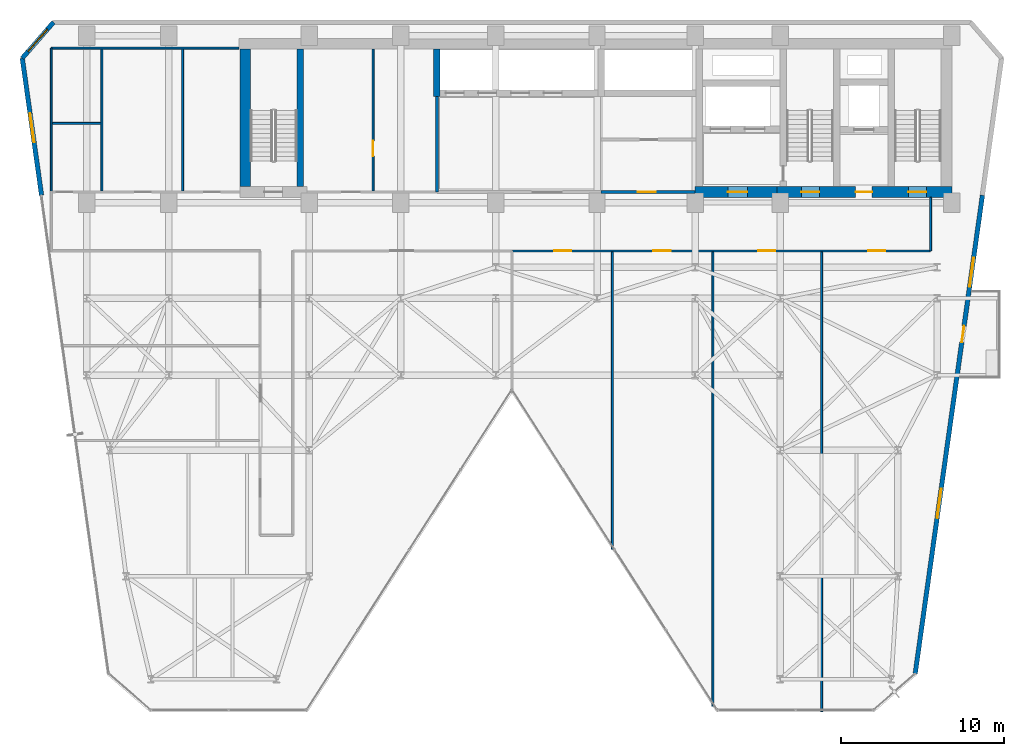
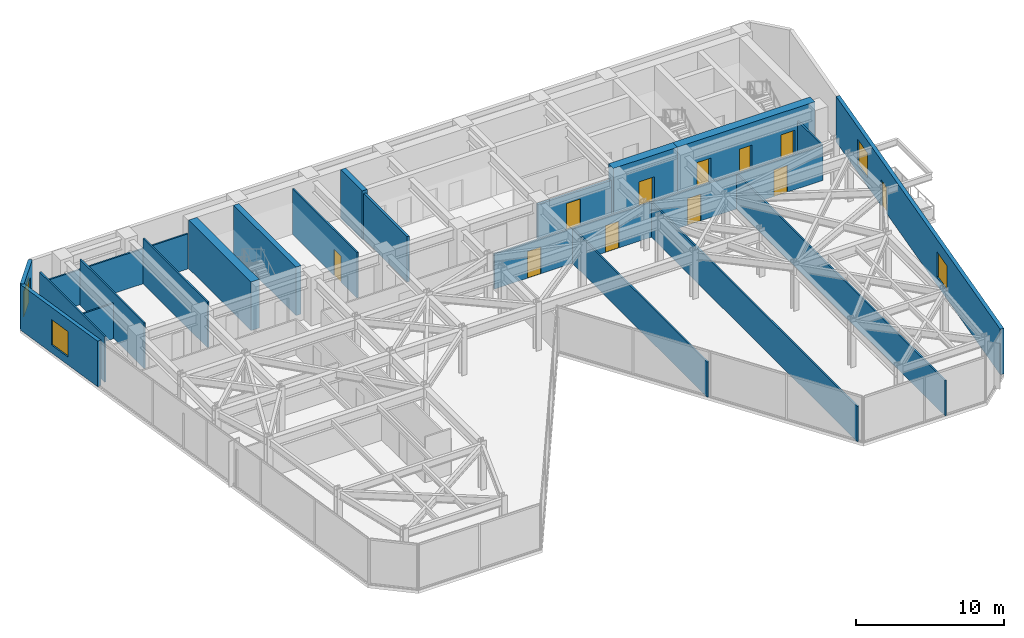
# One storey, part 22 of 26: 21 walls, 11 doors, 4 windows, 15 openings.
"""IFC4 building model written with IfcOpenShell, lengths in metres."""

from ifc_helpers import new_model, si_unit, direction, frame, frame_2d, origin, place, context, subcontext, project, spatial, rectangle, extrude, material, layer, layer_set, type_object, element, fill, save


model = new_model("IFC4")

# Units and contexts
model_context = context("Model", 3, precision=1e-05, world=origin(), true_north=direction((0.0, 1.0)))
body_context = subcontext(model_context, "Body", "Model", "MODEL_VIEW")
ifc_project = project(units=[si_unit("LENGTHUNIT", "METRE"), si_unit("AREAUNIT", "SQUARE_METRE"), si_unit("VOLUMEUNIT", "CUBIC_METRE"), si_unit("PLANEANGLEUNIT", "RADIAN"), si_unit("MASSUNIT", "GRAM", prefix="KILO")], contexts=[model_context])

# Site, building, storey
site_placement = place(None, origin())
site = spatial("IfcSite", under=ifc_project, at=site_placement, CompositionType="ELEMENT")
building_placement = place(site_placement, origin())
building = spatial("IfcBuilding", under=site, at=building_placement, Name="Kravanh Interchange Tower", CompositionType="ELEMENT")
storey_placement = place(building_placement, frame((0.0, 0.0, 140.0)))
storey = spatial("IfcBuildingStorey", under=building, at=storey_placement, Name="L33", CompositionType="ELEMENT", Elevation=140.0)

# Wall, opening, door
ifc_material_1 = material(Name="Double Acoustic Gypsum Board and Mineral Wool")
ifc_layer_1 = layer(ifc_material_1, 0.1201171875)
ifc_layer_set_1 = layer_set([ifc_layer_1], Name="Acoustic Office Drywall Partition 120mm")
wall_type_1 = type_object("IfcWallType", Name="Acoustic Office Drywall Partition 120mm", PredefinedType="PARTITIONING", material=ifc_layer_set_1)
wall_1_placement = place(storey_placement, frame((31.10009765625, 38.068115234375, 0.0), z_axis=(0.0, 0.0, 1.0), x_axis=(0.0, 1.0, 0.0)))
wall_1 = element("IfcWall", 1, at=wall_1_placement, inside=storey, type_object=wall_type_1, Name="L33 Interior Partition 5", PredefinedType="PARTITIONING", context=body_context, shape_type="SweptSolid", body=[
    extrude(rectangle(XDim=8.673828125, YDim=0.1201171875, at=frame_2d((4.3369140625, 0.0))), origin(), (0.0, 0.0, 1.0), 3.75),
])
opening_1_placement = place(wall_1_placement, frame((2.115966796875, 0.0, 0.0)))
opening_1 = element("IfcOpeningElement", 2, at=opening_1_placement, cuts=wall_1, Name="Opening D-95", PredefinedType="OPENING", context=body_context, shape_type="SweptSolid", body=[
    extrude(rectangle(XDim=0.949951171875, YDim=2.14990234375, at=frame_2d((0.47509765625, 1.074951171875))), frame((0.0, 0.070068359375, 0.0), z_axis=(0.0, -1.0, 0.0), x_axis=(1.0, 0.0, 0.0)), (0.0, 0.0, 1.0), 0.14013671875),
])
ifc_material_2 = material(Name="Laminate Solid-Core Timber", Category="wood")
door_type_1 = type_object("IfcDoorType", Name="Accessible Restroom Door 950x2150", OperationType="NOTDEFINED", PredefinedType="DOOR", material=ifc_material_2)
door_1_placement = place(opening_1_placement, origin())
door_1 = element("IfcDoor", 3, at=door_1_placement, inside=storey, type_object=door_type_1, Name="L33 Reclaimed Archive Inner Door", OperationType="SINGLE_SWING_LEFT", OverallHeight=2.14990234375, OverallWidth=0.949951171875, PredefinedType="DOOR", context=body_context, shape_type="SweptSolid", body=[
    extrude(rectangle(XDim=0.949951171875, YDim=2.14990234375, at=frame_2d((0.47509765625, 1.074951171875))), frame((0.0, 0.02490234375, 0.0), z_axis=(0.0, -1.0, 0.0), x_axis=(1.0, 0.0, 0.0)), (0.0, 0.0, 1.0), 0.050048828125),
])
fill(opening_1, door_1)

# Walls
wall_2_placement = place(storey_placement, frame((11.419921875, 38.0, 0.0), z_axis=(0.0, 0.0, 1.0), x_axis=(0.0, 1.0, 0.0)))
element("IfcWall", 4, at=wall_2_placement, inside=storey, type_object=wall_type_1, Name="L33 Restroom West Enclosure 8", PredefinedType="PARTITIONING", context=body_context, shape_type="SweptSolid", body=[
    extrude(rectangle(XDim=8.800048828125, YDim=0.1201171875, at=frame_2d((4.39990234375, 0.0))), origin(), (0.0, 0.0, 1.0), 3.75),
])
wall_3_placement = place(storey_placement, frame((11.419921875, 46.800048828125, 0.0), z_axis=(0.0, 0.0, 1.0), x_axis=(1.0, 0.0, 0.0)))
element("IfcWall", 5, at=wall_3_placement, inside=storey, type_object=wall_type_1, Name="L33 Restroom North Enclosure 9", PredefinedType="PARTITIONING", context=body_context, shape_type="SweptSolid", body=[
    extrude(rectangle(XDim=11.47998046875, YDim=0.1201171875, at=frame_2d((5.739990234375, 0.0))), origin(), (0.0, 0.0, 1.0), 2.89404296875),
])
for number, where, z_axis, x_axis, name in (
    (6, (14.52001953125, 38.068115234375, 0.0), (0.0, 0.0, 1.0), (0.0, 1.0, 0.0), "L33 Interior Partition 10"),
    (7, (19.449951171875, 38.068115234375, 0.0), (0.0, 0.0, 1.0), (0.0, 1.0, 0.0), "L33 Interior Partition 11"),
):
    element("IfcWall", number, at=place(storey_placement, frame(where, z_axis=z_axis, x_axis=x_axis)), inside=storey, type_object=wall_type_1, Name=name, PredefinedType="PARTITIONING", context=body_context, shape_type="SweptSolid", body=[
        extrude(rectangle(XDim=8.663818359375, YDim=0.1201171875, at=frame_2d((4.33203125, 0.0))), origin(), (0.0, 0.0, 1.0), 3.75),
    ])
wall_4_placement = place(storey_placement, frame((11.488037109375, 42.199951171875, 0.0), z_axis=(0.0, 0.0, 1.0), x_axis=(1.0, 0.0, 0.0)))
element("IfcWall", 8, at=wall_4_placement, inside=storey, type_object=wall_type_1, Name="L33 Interior Partition 12", PredefinedType="PARTITIONING", context=body_context, shape_type="SweptSolid", body=[
    extrude(rectangle(XDim=2.9638671875, YDim=0.1201171875, at=frame_2d((1.48193359375, 0.0))), origin(), (0.0, 0.0, 1.0), 2.89404296875),
])

# Wall, openings, doors
wall_5_placement = place(storey_placement, frame((39.60009765625, 34.39990234375, 0.0), z_axis=(0.0, 0.0, 1.0), x_axis=(1.0, 0.0, 0.0)))
wall_5 = element("IfcWall", 9, at=wall_5_placement, inside=storey, type_object=wall_type_1, Name="L33 Interior Partition 15", PredefinedType="PARTITIONING", context=body_context, shape_type="SweptSolid", body=[
    extrude(rectangle(XDim=25.599853515625, YDim=0.1201171875, at=frame_2d((12.7998046875, 0.0))), origin(), (0.0, 0.0, 1.0), 2.89404296875),
])
opening_2_placement = place(wall_5_placement, frame((2.585205078125, 0.0, 0.0)))
opening_2 = element("IfcOpeningElement", 10, at=opening_2_placement, cuts=wall_5, Name="Opening D-105", PredefinedType="OPENING", context=body_context, shape_type="SweptSolid", body=[
    extrude(rectangle(XDim=1.050048828125, YDim=2.199951171875, at=frame_2d((0.52490234375, 1.10009765625))), frame((0.0, 0.070068359375, 0.0), z_axis=(0.0, -1.0, 0.0), x_axis=(1.0, 0.0, 0.0)), (0.0, 0.0, 1.0), 0.14013671875),
])
opening_3_placement = place(wall_5_placement, frame((8.649658203125, 0.0, 0.0)))
opening_3 = element("IfcOpeningElement", 11, at=opening_3_placement, cuts=wall_5, Name="Opening D-105", PredefinedType="OPENING", context=body_context, shape_type="SweptSolid", body=[
    extrude(rectangle(XDim=1.050048828125, YDim=2.199951171875, at=frame_2d((0.52490234375, 1.10009765625))), frame((0.0, 0.070068359375, 0.0), z_axis=(0.0, -1.0, 0.0), x_axis=(1.0, 0.0, 0.0)), (0.0, 0.0, 1.0), 0.14013671875),
])
opening_4_placement = place(wall_5_placement, frame((15.049560546875, 0.0, 0.0)))
opening_4 = element("IfcOpeningElement", 12, at=opening_4_placement, cuts=wall_5, Name="Opening D-105", PredefinedType="OPENING", context=body_context, shape_type="SweptSolid", body=[
    extrude(rectangle(XDim=1.050048828125, YDim=2.199951171875, at=frame_2d((0.52490234375, 1.10009765625))), frame((0.0, 0.070068359375, 0.0), z_axis=(0.0, -1.0, 0.0), x_axis=(1.0, 0.0, 0.0)), (0.0, 0.0, 1.0), 0.14013671875),
])
opening_5_placement = place(wall_5_placement, frame((21.78564453125, 0.0, 0.0)))
opening_5 = element("IfcOpeningElement", 13, at=opening_5_placement, cuts=wall_5, Name="Opening D-105", PredefinedType="OPENING", context=body_context, shape_type="SweptSolid", body=[
    extrude(rectangle(XDim=1.050048828125, YDim=2.199951171875, at=frame_2d((0.52490234375, 1.10009765625))), frame((0.0, 0.070068359375, 0.0), z_axis=(0.0, -1.0, 0.0), x_axis=(1.0, 0.0, 0.0)), (0.0, 0.0, 1.0), 0.14013671875),
])
ifc_material_3 = material(Name="Acoustic Glazed Oak and Aluminium", Category="aluminium")
door_type_2 = type_object("IfcDoorType", Name="Office Workplace Door 1050x2200", OperationType="NOTDEFINED", PredefinedType="DOOR", material=ifc_material_3)
door_2_placement = place(opening_2_placement, origin())
door_2 = element("IfcDoor", 14, at=door_2_placement, inside=storey, type_object=door_type_2, Name="L33 Advisory Office B Door", OperationType="SINGLE_SWING_RIGHT", OverallHeight=2.199951171875, OverallWidth=1.050048828125, PredefinedType="DOOR", context=body_context, shape_type="SweptSolid", body=[
    extrude(rectangle(XDim=1.050048828125, YDim=2.199951171875, at=frame_2d((0.52490234375, 1.10009765625))), frame((0.0, 0.02490234375, 0.0), z_axis=(0.0, -1.0, 0.0), x_axis=(1.0, 0.0, 0.0)), (0.0, 0.0, 1.0), 0.050048828125),
])
fill(opening_2, door_2)
door_3_placement = place(opening_3_placement, origin())
door_3 = element("IfcDoor", 15, at=door_3_placement, inside=storey, type_object=door_type_2, Name="L33 Client Salon Lounge Door", OperationType="SINGLE_SWING_LEFT", OverallHeight=2.199951171875, OverallWidth=1.050048828125, PredefinedType="DOOR", context=body_context, shape_type="SweptSolid", body=[
    extrude(rectangle(XDim=1.050048828125, YDim=2.199951171875, at=frame_2d((0.52490234375, 1.10009765625))), frame((0.0, 0.02490234375, 0.0), z_axis=(0.0, -1.0, 0.0), x_axis=(1.0, 0.0, 0.0)), (0.0, 0.0, 1.0), 0.050048828125),
])
fill(opening_3, door_3)
door_4_placement = place(opening_4_placement, origin())
door_4 = element("IfcDoor", 16, at=door_4_placement, inside=storey, type_object=door_type_2, Name="L33 East Balcony Office C Door", OperationType="SINGLE_SWING_RIGHT", OverallHeight=2.199951171875, OverallWidth=1.050048828125, PredefinedType="DOOR", context=body_context, shape_type="SweptSolid", body=[
    extrude(rectangle(XDim=1.050048828125, YDim=2.199951171875, at=frame_2d((0.52490234375, 1.10009765625))), frame((0.0, 0.02490234375, 0.0), z_axis=(0.0, -1.0, 0.0), x_axis=(1.0, 0.0, 0.0)), (0.0, 0.0, 1.0), 0.050048828125),
])
fill(opening_4, door_4)
door_5_placement = place(opening_5_placement, origin())
door_5 = element("IfcDoor", 17, at=door_5_placement, inside=storey, type_object=door_type_2, Name="L33 Supply Store A Door", OperationType="SINGLE_SWING_LEFT", OverallHeight=2.199951171875, OverallWidth=1.050048828125, PredefinedType="DOOR", context=body_context, shape_type="SweptSolid", body=[
    extrude(rectangle(XDim=1.050048828125, YDim=2.199951171875, at=frame_2d((0.52490234375, 1.10009765625))), frame((0.0, 0.02490234375, 0.0), z_axis=(0.0, -1.0, 0.0), x_axis=(1.0, 0.0, 0.0)), (0.0, 0.0, 1.0), 0.050048828125),
])
fill(opening_5, door_5)

# Walls
wall_6_placement = place(storey_placement, frame((65.199951171875, 34.39990234375, 0.0), z_axis=(0.0, 0.0, 1.0), x_axis=(0.0, 1.0, 0.0)))
element("IfcWall", 18, at=wall_6_placement, inside=storey, type_object=wall_type_1, Name="L33 Interior Partition 17", PredefinedType="PARTITIONING", context=body_context, shape_type="SweptSolid", body=[
    extrude(rectangle(XDim=3.26708984375, YDim=0.1201171875, at=frame_2d((1.633544921875, 0.0))), origin(), (0.0, 0.0, 1.0), 2.89404296875),
])
wall_7_placement = place(storey_placement, frame((45.739990234375, 16.1494140625, 0.0), z_axis=(0.0, 0.0, 1.0), x_axis=(0.0, 1.0, 0.0)))
element("IfcWall", 19, at=wall_7_placement, inside=storey, type_object=wall_type_1, Name="L33 Interior Partition 24", PredefinedType="PARTITIONING", context=body_context, shape_type="SweptSolid", body=[
    extrude(rectangle(XDim=18.1826171875, YDim=0.1201171875, at=frame_2d((9.09130859375, 0.0))), origin(), (0.0, 0.0, 1.0), 2.89404296875),
])
wall_8_placement = place(storey_placement, frame((51.889892578125, 6.555419921875, 0.0), z_axis=(0.0, 0.0, 1.0), x_axis=(0.0, 1.0, 0.0)))
element("IfcWall", 20, at=wall_8_placement, inside=storey, type_object=wall_type_1, Name="L33 Interior Partition 25", PredefinedType="PARTITIONING", context=body_context, shape_type="SweptSolid", body=[
    extrude(rectangle(XDim=27.776611328125, YDim=0.1201171875, at=frame_2d((13.88818359375, 0.0))), origin(), (0.0, 0.0, 1.0), 2.89404296875),
])
wall_9_placement = place(storey_placement, frame((58.5400390625, 6.215087890625, 0.0), z_axis=(0.0, 0.0, 1.0), x_axis=(0.0, 1.0, 0.0)))
element("IfcWall", 21, at=wall_9_placement, inside=storey, type_object=wall_type_1, Name="L33 Interior Partition 26", PredefinedType="PARTITIONING", context=body_context, shape_type="SweptSolid", body=[
    extrude(rectangle(XDim=28.116943359375, YDim=0.1201171875, at=frame_2d((14.05859375, 0.0))), origin(), (0.0, 0.0, 1.0), 2.89404296875),
])

# Wall, openings, doors
ifc_material_4 = material(Name="Concrete C70/85", Category="concrete")
ifc_layer_2 = layer(ifc_material_4, 0.64990234375)
ifc_layer_set_2 = layer_set([ifc_layer_2], Name="Core Shear Wall Concrete C70/85 650mm")
wall_type_2 = type_object("IfcWallType", Name="Core Shear Wall Concrete C70/85 650mm", PredefinedType="SHEAR", material=ifc_layer_set_2)
wall_10_placement = place(storey_placement, frame((55.800048828125, 38.0, 0.0), z_axis=(0.0, 0.0, 1.0), x_axis=(1.0, 0.0, 0.0)))
wall_10 = element("IfcWall", 22, at=wall_10_placement, inside=storey, type_object=wall_type_2, Name="L33 East Core South Shear Wall", PredefinedType="SHEAR", context=body_context, shape_type="SweptSolid", body=[
    extrude(rectangle(XDim=10.699951171875, YDim=0.64990234375, at=frame_2d((5.35009765625, 0.0))), origin(), (0.0, 0.0, 1.0), 4.0),
])
opening_6_placement = place(wall_10_placement, frame((1.5, 0.0, 0.0)))
opening_6 = element("IfcOpeningElement", 23, at=opening_6_placement, cuts=wall_10, Name="Opening D-STAIR-110", PredefinedType="OPENING", context=body_context, shape_type="SweptSolid", body=[
    extrude(rectangle(XDim=1.10009765625, YDim=2.199951171875, at=frame_2d((0.550048828125, 1.10009765625))), frame((0.0, 0.3349609375, 0.0), z_axis=(0.0, -1.0, 0.0), x_axis=(1.0, 0.0, 0.0)), (0.0, 0.0, 1.0), 0.669921875),
])
opening_7_placement = place(wall_10_placement, frame((4.820068359375, 0.0, 0.0)))
opening_7 = element("IfcOpeningElement", 24, at=opening_7_placement, cuts=wall_10, Name="Opening D-HOTEL-100", PredefinedType="OPENING", context=body_context, shape_type="SweptSolid", body=[
    extrude(rectangle(XDim=1.0, YDim=2.14990234375, at=frame_2d((0.5, 1.074951171875))), frame((0.0, 0.3349609375, 0.0), z_axis=(0.0, -1.0, 0.0), x_axis=(1.0, 0.0, 0.0)), (0.0, 0.0, 1.0), 0.669921875),
])
opening_8_placement = place(wall_10_placement, frame((8.050048828125, 0.0, 0.0)))
opening_8 = element("IfcOpeningElement", 25, at=opening_8_placement, cuts=wall_10, Name="Opening D-STAIR-110", PredefinedType="OPENING", context=body_context, shape_type="SweptSolid", body=[
    extrude(rectangle(XDim=1.10009765625, YDim=2.199951171875, at=frame_2d((0.550048828125, 1.10009765625))), frame((0.0, 0.3349609375, 0.0), z_axis=(0.0, -1.0, 0.0), x_axis=(1.0, 0.0, 0.0)), (0.0, 0.0, 1.0), 0.669921875),
])
ifc_material_5 = material(Name="Structural Steel S355", Category="steel")
door_type_3 = type_object("IfcDoorType", Name="Fire-Rated Exit Stair Door 1100x2200", OperationType="NOTDEFINED", PredefinedType="DOOR", material=ifc_material_5)
door_6_placement = place(opening_6_placement, origin())
door_6 = element("IfcDoor", 26, at=door_6_placement, inside=storey, type_object=door_type_3, Name="L33 Exit Stair ST2 Door", OperationType="SINGLE_SWING_RIGHT", OverallHeight=2.199951171875, OverallWidth=1.10009765625, PredefinedType="DOOR", context=body_context, shape_type="SweptSolid", body=[
    extrude(rectangle(XDim=1.10009765625, YDim=2.199951171875, at=frame_2d((0.550048828125, 1.10009765625))), frame((0.0, 0.02490234375, 0.0), z_axis=(0.0, -1.0, 0.0), x_axis=(1.0, 0.0, 0.0)), (0.0, 0.0, 1.0), 0.050048828125),
])
fill(opening_6, door_6)
door_7_placement = place(opening_8_placement, origin())
door_7 = element("IfcDoor", 27, at=door_7_placement, inside=storey, type_object=door_type_3, Name="L33 Exit Stair ST1 Door", OperationType="SINGLE_SWING_RIGHT", OverallHeight=2.199951171875, OverallWidth=1.10009765625, PredefinedType="DOOR", context=body_context, shape_type="SweptSolid", body=[
    extrude(rectangle(XDim=1.10009765625, YDim=2.199951171875, at=frame_2d((0.550048828125, 1.10009765625))), frame((0.0, 0.02490234375, 0.0), z_axis=(0.0, -1.0, 0.0), x_axis=(1.0, 0.0, 0.0)), (0.0, 0.0, 1.0), 0.050048828125),
])
fill(opening_8, door_7)
ifc_material_6 = material(Name="Fire-Rated Solid Timber Leaf", Category="wood")
door_type_4 = type_object("IfcDoorType", Name="Fire-Rated Suite Entrance Door 1000x2150", OperationType="NOTDEFINED", PredefinedType="DOOR", material=ifc_material_6)
door_8_placement = place(opening_7_placement, origin())
door_8 = element("IfcDoor", 28, at=door_8_placement, inside=storey, type_object=door_type_4, Name="L33 Service Lift Lobby Door", OperationType="SINGLE_SWING_RIGHT", OverallHeight=2.14990234375, OverallWidth=1.0, PredefinedType="DOOR", context=body_context, shape_type="SweptSolid", body=[
    extrude(rectangle(XDim=1.0, YDim=2.14990234375, at=frame_2d((0.5, 1.074951171875))), frame((0.0, 0.02490234375, 0.0), z_axis=(0.0, -1.0, 0.0), x_axis=(1.0, 0.0, 0.0)), (0.0, 0.0, 1.0), 0.050048828125),
])
fill(opening_7, door_8)

# Wall, opening, door
wall_11_placement = place(storey_placement, frame((50.800048828125, 38.0, 0.0), z_axis=(0.0, 0.0, 1.0), x_axis=(1.0, 0.0, 0.0)))
wall_11 = element("IfcWall", 29, at=wall_11_placement, inside=storey, type_object=wall_type_2, Name="L33 Firefighting Lobby South Shear Wall", PredefinedType="SHEAR", context=body_context, shape_type="SweptSolid", body=[
    extrude(rectangle(XDim=5.0, YDim=0.64990234375, at=frame_2d((2.5, 0.0))), origin(), (0.0, 0.0, 1.0), 4.0),
])
opening_9_placement = place(wall_11_placement, frame((2.0, 0.0, 0.0)))
opening_9 = element("IfcOpeningElement", 30, at=opening_9_placement, cuts=wall_11, Name="Opening D-FSAE-120", PredefinedType="OPENING", context=body_context, shape_type="SweptSolid", body=[
    extrude(rectangle(XDim=1.199951171875, YDim=2.199951171875, at=frame_2d((0.60009765625, 1.10009765625))), frame((0.0, 0.3349609375, 0.0), z_axis=(0.0, -1.0, 0.0), x_axis=(1.0, 0.0, 0.0)), (0.0, 0.0, 1.0), 0.669921875),
])
ifc_material_7 = material(Name="Structural Steel S355", Category="steel")
door_type_5 = type_object("IfcDoorType", Name="Fire-Rated Refuge and FSAE Door 1200x2200", OperationType="NOTDEFINED", PredefinedType="DOOR", material=ifc_material_7)
door_9_placement = place(opening_9_placement, origin())
door_9 = element("IfcDoor", 31, at=door_9_placement, inside=storey, type_object=door_type_5, Name="L33 Firefighting Lobby Corridor Door", OperationType="SINGLE_SWING_RIGHT", OverallHeight=2.199951171875, OverallWidth=1.199951171875, PredefinedType="DOOR", context=body_context, shape_type="SweptSolid", body=[
    extrude(rectangle(XDim=1.199951171875, YDim=2.199951171875, at=frame_2d((0.60009765625, 1.10009765625))), frame((0.0, 0.02490234375, 0.0), z_axis=(0.0, -1.0, 0.0), x_axis=(1.0, 0.0, 0.0)), (0.0, 0.0, 1.0), 0.050048828125),
])
fill(opening_9, door_9)

# Walls
wall_12_placement = place(storey_placement, frame((23.27490234375, 38.324951171875, 0.0), z_axis=(0.0, 0.0, 1.0), x_axis=(0.0, 1.0, 0.0)))
element("IfcWall", 32, at=wall_12_placement, inside=storey, type_object=wall_type_2, Name="L33 Stair ST3 West Shear Wall", PredefinedType="SHEAR", context=body_context, shape_type="SweptSolid", body=[
    extrude(rectangle(XDim=8.425048828125, YDim=0.64990234375, at=frame_2d((4.21240234375, 0.0))), origin(), (0.0, 0.0, 1.0), 4.0),
])
ifc_material_8 = material(Name="Concrete C80/95", Category="concrete")
ifc_layer_3 = layer(ifc_material_8, 0.39990234375)
ifc_layer_set_3 = layer_set([ifc_layer_3], Name="Core Shear Wall Concrete C80/95 400mm")
wall_type_3 = type_object("IfcWallType", Name="Core Shear Wall Concrete C80/95 400mm", PredefinedType="SHEAR", material=ifc_layer_set_3)
wall_13_placement = place(storey_placement, frame((35.0, 43.85009765625, 0.0), z_axis=(0.0, 0.0, 1.0), x_axis=(0.0, 1.0, 0.0)))
element("IfcWall", 33, at=wall_13_placement, inside=storey, type_object=wall_type_3, Name="L33 Mid-Rise Lift Shaft West Wall", PredefinedType="SHEAR", context=body_context, shape_type="SweptSolid", body=[
    extrude(rectangle(XDim=2.89990234375, YDim=0.39990234375, at=frame_2d((1.449951171875, 0.0))), origin(), (0.0, 0.0, 1.0), 4.0),
])
wall_14_placement = place(storey_placement, frame((26.64990234375, 38.324951171875, 0.0), z_axis=(0.0, 0.0, 1.0), x_axis=(0.0, 1.0, 0.0)))
element("IfcWall", 34, at=wall_14_placement, inside=storey, type_object=wall_type_3, Name="L33 Stair ST3 East Shear Wall", PredefinedType="SHEAR", context=body_context, shape_type="SweptSolid", body=[
    extrude(rectangle(XDim=8.425048828125, YDim=0.39990234375, at=frame_2d((4.21240234375, 0.0))), origin(), (0.0, 0.0, 1.0), 4.0),
])

# Wall, opening, window
ifc_material_9 = material(Name="Insulated Precast Concrete C40/50 with Bronze Cladding", Category="concrete")
ifc_layer_4 = layer(ifc_material_9, 0.280029296875)
ifc_layer_set_4 = layer_set([ifc_layer_4], Name="Exterior Insulated Concrete C40/50 Bronze Spandrel Wall 280mm")
wall_type_4 = type_object("IfcWallType", Name="Exterior Insulated Concrete C40/50 Bronze Spandrel Wall 280mm", PredefinedType="STANDARD", material=ifc_layer_set_4)
wall_15_placement = place(storey_placement, frame((10.824951171875, 37.800048828125, 0.0), z_axis=(0.0, 0.0, 1.0), x_axis=(-0.139180610108, 0.990267013371, 0.0)))
wall_15 = element("IfcWall", 35, at=wall_15_placement, inside=storey, type_object=wall_type_4, Name="L33 Exterior Wall 1", PredefinedType="STANDARD", context=body_context, shape_type="SweptSolid", body=[
    extrude(rectangle(XDim=8.46728515625, YDim=0.280029296875, at=frame_2d((4.233642578125, 0.0))), origin(), (0.0, 0.0, 1.0), 3.75),
])
opening_10_placement = place(wall_15_placement, frame((3.273193359375, 0.0, 0.64990234375)))
opening_10 = element("IfcOpeningElement", 36, at=opening_10_placement, cuts=wall_15, Name="Opening WN-180X210", PredefinedType="OPENING", context=body_context, shape_type="SweptSolid", body=[
    extrude(rectangle(XDim=1.800048828125, YDim=2.10009765625, at=frame_2d((0.89990234375, 1.050048828125))), frame((0.0, 0.14990234375, 0.0), z_axis=(0.0, -1.0, 0.0), x_axis=(1.0, 0.0, 0.0)), (0.0, 0.0, 1.0), 0.300048828125),
])
ifc_material_10 = material(Name="Thermally Broken Bronze Aluminium and Low-E Glass", Category="aluminium")
window_type = type_object("IfcWindowType", Name="Tower Pier Window 1800x2100", PartitioningType="SINGLE_PANEL", PredefinedType="WINDOW", material=ifc_material_10)
window_1_placement = place(opening_10_placement, origin())
window_1 = element("IfcWindow", 37, at=window_1_placement, inside=storey, type_object=window_type, Name="L33 Corner Window 1", OverallHeight=2.10009765625, OverallWidth=1.800048828125, PartitioningType="SINGLE_PANEL", PredefinedType="WINDOW", context=body_context, shape_type="SweptSolid", body=[
    extrude(rectangle(XDim=1.800048828125, YDim=2.10009765625, at=frame_2d((0.89990234375, 1.050048828125))), frame((0.0, 0.030029296875, 0.0), z_axis=(0.0, -1.0, 0.0), x_axis=(1.0, 0.0, 0.0)), (0.0, 0.0, 1.0), 0.06005859375),
])
fill(opening_10, window_1)

wall_16_placement = place(storey_placement, frame((9.646484375, 46.184814453125, 0.0), z_axis=(0.0, 0.0, 1.0), x_axis=(0.656070644076, 0.754699483226, 0.0)))
wall_16 = element("IfcWall", 38, at=wall_16_placement, inside=storey, type_object=wall_type_4, Name="L33 Exterior Wall 2", PredefinedType="STANDARD", context=body_context, shape_type="SweptSolid", body=[
    extrude(rectangle(XDim=2.908447265625, YDim=0.280029296875, at=frame_2d((1.4541015625, 0.0))), origin(), (0.0, 0.0, 1.0), 3.75),
])
opening_11_placement = place(wall_16_placement, frame((0.541015625, 0.0, 0.64990234375)))
opening_11 = element("IfcOpeningElement", 39, at=opening_11_placement, cuts=wall_16, Name="Opening WN-180X210", PredefinedType="OPENING", context=body_context, shape_type="SweptSolid", body=[
    extrude(rectangle(XDim=1.800048828125, YDim=2.10009765625, at=frame_2d((0.89990234375, 1.050048828125))), frame((0.0, 0.14990234375, 0.0), z_axis=(0.0, -1.0, 0.0), x_axis=(1.0, 0.0, 0.0)), (0.0, 0.0, 1.0), 0.300048828125),
])
window_2_placement = place(opening_11_placement, origin())
window_2 = element("IfcWindow", 40, at=window_2_placement, inside=storey, type_object=window_type, Name="L33 Corner Window 2", OverallHeight=2.10009765625, OverallWidth=1.800048828125, PartitioningType="SINGLE_PANEL", PredefinedType="WINDOW", context=body_context, shape_type="SweptSolid", body=[
    extrude(rectangle(XDim=1.800048828125, YDim=2.10009765625, at=frame_2d((0.89990234375, 1.050048828125))), frame((0.0, 0.030029296875, 0.0), z_axis=(0.0, -1.0, 0.0), x_axis=(1.0, 0.0, 0.0)), (0.0, 0.0, 1.0), 0.06005859375),
])
fill(opening_11, window_2)

# Wall, openings, door, windows
wall_17_placement = place(storey_placement, frame((68.375, 37.800048828125, 0.0), z_axis=(0.0, 0.0, 1.0), x_axis=(-0.13917001236, -0.990268502811, 0.0)))
wall_17 = element("IfcWall", 41, at=wall_17_placement, inside=storey, type_object=wall_type_4, Name="L33 Exterior Wall 6", PredefinedType="STANDARD", context=body_context, shape_type="SweptSolid", body=[
    extrude(rectangle(XDim=29.548828125, YDim=0.280029296875, at=frame_2d((14.7744140625, 0.0))), origin(), (0.0, 0.0, 1.0), 3.75),
])
opening_12_placement = place(wall_17_placement, frame((8.076904296875, 0.0, 0.0)))
opening_12 = element("IfcOpeningElement", 42, at=opening_12_placement, cuts=wall_17, Name="Opening ED-BAL100", PredefinedType="OPENING", context=body_context, shape_type="SweptSolid", body=[
    extrude(rectangle(XDim=1.0, YDim=2.14990234375, at=frame_2d((0.5, 1.074951171875))), frame((0.0, 0.14990234375, 0.0), z_axis=(0.0, -1.0, 0.0), x_axis=(1.0, 0.0, 0.0)), (0.0, 0.0, 1.0), 0.300048828125),
])
opening_13_placement = place(wall_17_placement, frame((3.851318359375, 0.0, 0.64990234375)))
opening_13 = element("IfcOpeningElement", 43, at=opening_13_placement, cuts=wall_17, Name="Opening WN-180X210", PredefinedType="OPENING", context=body_context, shape_type="SweptSolid", body=[
    extrude(rectangle(XDim=1.800048828125, YDim=2.10009765625, at=frame_2d((0.89990234375, 1.050048828125))), frame((0.0, 0.14990234375, 0.0), z_axis=(0.0, -1.0, 0.0), x_axis=(1.0, 0.0, 0.0)), (0.0, 0.0, 1.0), 0.300048828125),
])
opening_14_placement = place(wall_17_placement, frame((18.1357421875, 0.0, 0.64990234375)))
opening_14 = element("IfcOpeningElement", 44, at=opening_14_placement, cuts=wall_17, Name="Opening WN-180X210", PredefinedType="OPENING", context=body_context, shape_type="SweptSolid", body=[
    extrude(rectangle(XDim=1.800048828125, YDim=2.10009765625, at=frame_2d((0.89990234375, 1.050048828125))), frame((0.0, 0.14990234375, 0.0), z_axis=(0.0, -1.0, 0.0), x_axis=(1.0, 0.0, 0.0)), (0.0, 0.0, 1.0), 0.300048828125),
])
ifc_material_11 = material(Name="Thermally Broken Bronze Aluminium and Laminated Glass", Category="aluminium")
door_type_6 = type_object("IfcDoorType", Name="Balcony Glazed Door 1000x2150", OperationType="NOTDEFINED", PredefinedType="DOOR", material=ifc_material_11)
door_10_placement = place(opening_12_placement, origin())
door_10 = element("IfcDoor", 45, at=door_10_placement, inside=storey, type_object=door_type_6, Name="L33 E Tree Balcony Access Door", OperationType="SINGLE_SWING_RIGHT", OverallHeight=2.14990234375, OverallWidth=1.0, PredefinedType="DOOR", context=body_context, shape_type="SweptSolid", body=[
    extrude(rectangle(XDim=1.0, YDim=2.14990234375, at=frame_2d((0.5, 1.074951171875))), frame((0.0, 0.02490234375, 0.0), z_axis=(0.0, -1.0, 0.0), x_axis=(1.0, 0.0, 0.0)), (0.0, 0.0, 1.0), 0.050048828125),
])
fill(opening_12, door_10)
window_3_placement = place(opening_13_placement, origin())
window_3 = element("IfcWindow", 46, at=window_3_placement, inside=storey, type_object=window_type, Name="L33 Facade Window 6A", OverallHeight=2.10009765625, OverallWidth=1.800048828125, PartitioningType="SINGLE_PANEL", PredefinedType="WINDOW", context=body_context, shape_type="SweptSolid", body=[
    extrude(rectangle(XDim=1.800048828125, YDim=2.10009765625, at=frame_2d((0.89990234375, 1.050048828125))), frame((0.0, 0.030029296875, 0.0), z_axis=(0.0, -1.0, 0.0), x_axis=(1.0, 0.0, 0.0)), (0.0, 0.0, 1.0), 0.06005859375),
])
fill(opening_13, window_3)
window_4_placement = place(opening_14_placement, origin())
window_4 = element("IfcWindow", 47, at=window_4_placement, inside=storey, type_object=window_type, Name="L33 Facade Window 6B", OverallHeight=2.10009765625, OverallWidth=1.800048828125, PartitioningType="SINGLE_PANEL", PredefinedType="WINDOW", context=body_context, shape_type="SweptSolid", body=[
    extrude(rectangle(XDim=1.800048828125, YDim=2.10009765625, at=frame_2d((0.89990234375, 1.050048828125))), frame((0.0, 0.030029296875, 0.0), z_axis=(0.0, -1.0, 0.0), x_axis=(1.0, 0.0, 0.0)), (0.0, 0.0, 1.0), 0.06005859375),
])
fill(opening_14, window_4)

# Wall, opening, door
ifc_material_12 = material(Name="Autoclaved Aerated Concrete C30/37 Blockwork", Category="masonry")
ifc_layer_5 = layer(ifc_material_12, 0.179931640625)
ifc_layer_set_5 = layer_set([ifc_layer_5], Name="Fire-Rated Lobby and Corridor Wall Concrete C30/37 180mm")
wall_type_5 = type_object("IfcWallType", Name="Fire-Rated Lobby and Corridor Wall Concrete C30/37 180mm", PredefinedType="STANDARD", material=ifc_layer_set_5)
wall_18_placement = place(storey_placement, frame((45.050048828125, 38.0, 0.0), z_axis=(0.0, 0.0, 1.0), x_axis=(1.0, 0.0, 0.0)))
wall_18 = element("IfcWall", 48, at=wall_18_placement, inside=storey, type_object=wall_type_5, Name="L33 Core South Enclosure 1", PredefinedType="STANDARD", context=body_context, shape_type="SweptSolid", body=[
    extrude(rectangle(XDim=5.75, YDim=0.179931640625, at=frame_2d((2.875, 0.0))), origin(), (0.0, 0.0, 1.0), 2.89404296875),
])
opening_15_placement = place(wall_18_placement, frame((2.240478515625, 0.0, 0.0)))
opening_15 = element("IfcOpeningElement", 49, at=opening_15_placement, cuts=wall_18, Name="Opening D-SHAFT-110", PredefinedType="OPENING", context=body_context, shape_type="SweptSolid", body=[
    extrude(rectangle(XDim=1.10009765625, YDim=2.199951171875, at=frame_2d((0.550048828125, 1.10009765625))), frame((0.0, 0.10009765625, 0.0), z_axis=(0.0, -1.0, 0.0), x_axis=(1.0, 0.0, 0.0)), (0.0, 0.0, 1.0), 0.199951171875),
])
ifc_material_13 = material(Name="Fire-Rated Composite Timber Leaf", Category="wood")
door_type_7 = type_object("IfcDoorType", Name="Fire-Rated Core Support Door 1100x2200", OperationType="NOTDEFINED", PredefinedType="DOOR", material=ifc_material_13)
door_11_placement = place(opening_15_placement, origin())
door_11 = element("IfcDoor", 50, at=door_11_placement, inside=storey, type_object=door_type_7, Name="L33 Core Telecom Room Door", OperationType="SINGLE_SWING_LEFT", OverallHeight=2.199951171875, OverallWidth=1.10009765625, PredefinedType="DOOR", context=body_context, shape_type="SweptSolid", body=[
    extrude(rectangle(XDim=1.10009765625, YDim=2.199951171875, at=frame_2d((0.550048828125, 1.10009765625))), frame((0.0, 0.02490234375, 0.0), z_axis=(0.0, -1.0, 0.0), x_axis=(1.0, 0.0, 0.0)), (0.0, 0.0, 1.0), 0.050048828125),
])
fill(opening_15, door_11)

# Wall
wall_19_placement = place(storey_placement, frame((35.0, 38.0, 0.0), z_axis=(0.0, 0.0, 1.0), x_axis=(0.0, 1.0, 0.0)))
element("IfcWall", 51, at=wall_19_placement, inside=storey, type_object=wall_type_5, Name="L33 Interior Partition 4", PredefinedType="STANDARD", context=body_context, shape_type="SweptSolid", body=[
    extrude(rectangle(XDim=5.85009765625, YDim=0.179931640625, at=frame_2d((2.925048828125, 0.0))), origin(), (0.0, 0.0, 1.0), 3.75),
])

save(model, "model.ifc")
